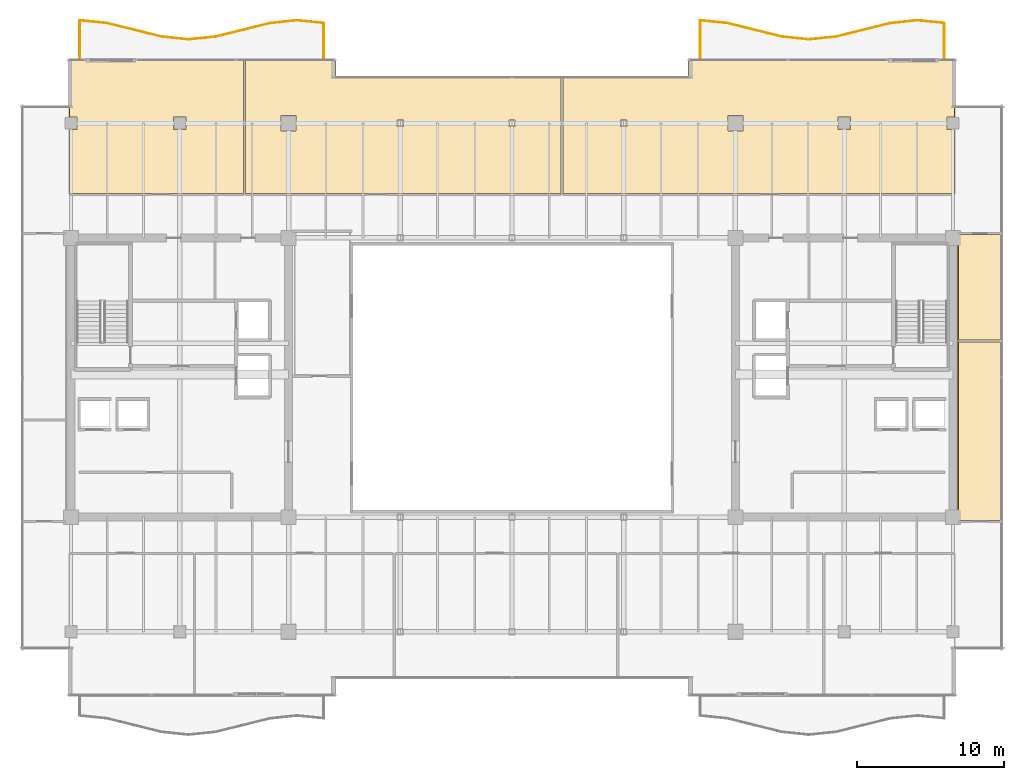
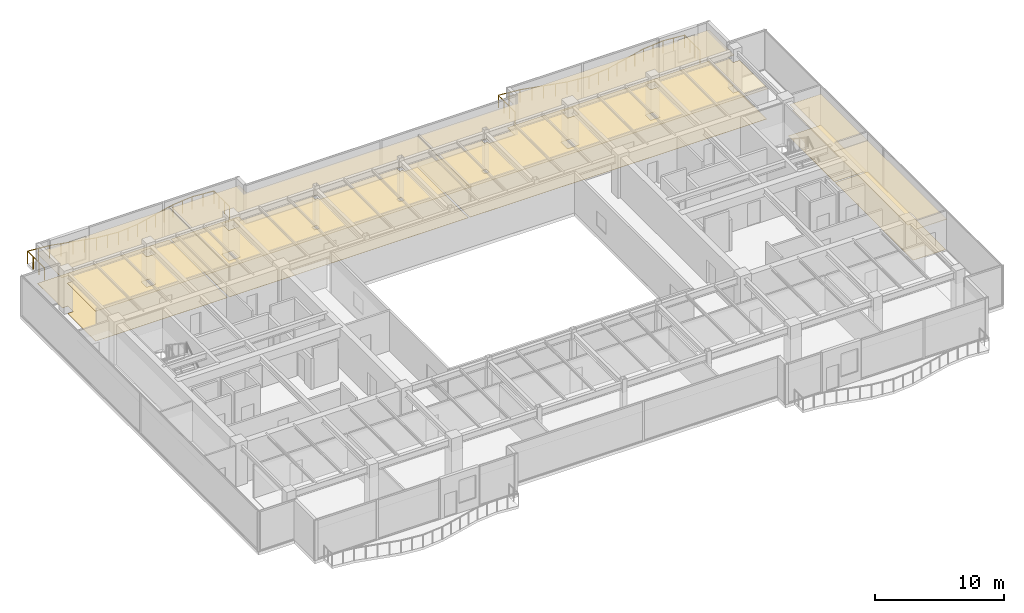
# One storey, part 35 of 35: 10 coverings, 2 railings.
"""IFC4 building model written with IfcOpenShell, lengths in metres."""

from ifc_helpers import new_model, si_unit, direction, frame, origin, origin_2d, place, context, subcontext, project, spatial, polyline, circle, outline, extrude, source, transform, mapped, material, layer, layer_set, type_object, type_shapes, element, save


model = new_model("IFC4")

# Units and contexts
model_context = context("Model", 3, precision=1e-05, world=origin(), true_north=direction((0.0, 1.0)))
body_context = subcontext(model_context, "Body", "Model", "MODEL_VIEW")
ifc_project = project(units=[si_unit("LENGTHUNIT", "METRE"), si_unit("AREAUNIT", "SQUARE_METRE"), si_unit("VOLUMEUNIT", "CUBIC_METRE"), si_unit("PLANEANGLEUNIT", "RADIAN"), si_unit("MASSUNIT", "GRAM", prefix="KILO")], contexts=[model_context])

# Site, building, storey
site_placement = place(None, origin())
site = spatial("IfcSite", under=ifc_project, at=site_placement, CompositionType="ELEMENT")
building_placement = place(site_placement, origin())
building = spatial("IfcBuilding", under=site, at=building_placement, Name="Haelvirn Gate Laboratories", CompositionType="ELEMENT")
storey_placement = place(building_placement, frame((0.0, 0.0, 283.39990234375)))
storey = spatial("IfcBuildingStorey", under=building, at=storey_placement, Name="L68", CompositionType="ELEMENT", Elevation=283.39990234375)

# Coverings
ifc_material_1 = material(Name="Micro-perforated acoustic mineral-fibre laboratory ceiling")
ifc_layer_1 = layer(ifc_material_1, 0.0400390625, Name="COV-CEIL-ACT")
ifc_layer_set_1 = layer_set([ifc_layer_1], Name="Micro-perforated acoustic mineral-fibre laboratory ceiling")
covering_type_1 = type_object("IfcCoveringType", Name="COV-CEIL-ACT", PredefinedType="CEILING", material=ifc_layer_set_1)
covering_1_placement = place(storey_placement, frame((0.0, 0.0, 2.880126953125)))
element("IfcCovering", 1, at=covering_1_placement, inside=storey, type_object=covering_type_1, Name="L68 Laboratory Acoustic Ceiling CEIL-SP-L68-N-01", PredefinedType="CEILING", context=body_context, shape_type="SweptSolid", body=[
    extrude(outline(polyline([(7.25, 41.179931640625), (7.820068359375, 41.179931640625), (7.820068359375, 42.02001953125), (7.25, 42.02001953125), (7.25, 45.949951171875), (19.179931640625, 45.949951171875), (19.179931640625, 36.77001953125), (7.25, 36.77001953125), (7.25, 41.179931640625)]), holes=[polyline([(14.3798828125, 42.02001953125), (14.3798828125, 41.179931640625), (15.219970703125, 41.179931640625), (15.219970703125, 42.02001953125), (14.3798828125, 42.02001953125)])]), origin(), (0.0, 0.0, 1.0), 0.0400390625),
])
covering_2_placement = place(storey_placement, frame((0.0, 0.0, 2.880126953125)))
element("IfcCovering", 2, at=covering_2_placement, inside=storey, type_object=covering_type_1, Name="L68 Laboratory Acoustic Ceiling CEIL-SP-L68-N-02", PredefinedType="CEILING", context=body_context, shape_type="SweptSolid", body=[
    extrude(outline(polyline([(19.219970703125, 36.77001953125), (19.219970703125, 45.949951171875), (25.419921875, 45.949951171875), (25.419921875, 44.820068359375), (40.780029296875, 44.820068359375), (40.780029296875, 36.77001953125), (19.219970703125, 36.77001953125)]), holes=[polyline([(21.679931640625, 41.080078125), (22.719970703125, 41.080078125), (22.719970703125, 42.1201171875), (21.679931640625, 42.1201171875), (21.679931640625, 41.080078125)]), polyline([(29.580078125, 41.820068359375), (29.580078125, 41.3798828125), (30.02001953125, 41.3798828125), (30.02001953125, 41.820068359375), (29.580078125, 41.820068359375)]), polyline([(37.6201171875, 41.820068359375), (37.179931640625, 41.820068359375), (37.179931640625, 41.3798828125), (37.6201171875, 41.3798828125), (37.6201171875, 41.820068359375)])]), origin(), (0.0, 0.0, 1.0), 0.0400390625),
])
covering_3_placement = place(storey_placement, frame((0.0, 0.0, 2.880126953125)))
element("IfcCovering", 3, at=covering_3_placement, inside=storey, type_object=covering_type_1, Name="L68 Laboratory Acoustic Ceiling CEIL-SP-L68-N-03", PredefinedType="CEILING", context=body_context, shape_type="SweptSolid", body=[
    extrude(outline(polyline([(66.97998046875, 42.02001953125), (66.97998046875, 41.179931640625), (67.550048828125, 41.179931640625), (67.550048828125, 36.77001953125), (40.820068359375, 36.77001953125), (40.820068359375, 44.820068359375), (49.3798828125, 44.820068359375), (49.3798828125, 45.949951171875), (67.550048828125, 45.949951171875), (67.550048828125, 42.02001953125), (66.97998046875, 42.02001953125)]), holes=[polyline([(53.1201171875, 41.080078125), (53.1201171875, 42.1201171875), (52.080078125, 42.1201171875), (52.080078125, 41.080078125), (53.1201171875, 41.080078125)]), polyline([(59.580078125, 41.179931640625), (60.419921875, 41.179931640625), (60.419921875, 42.02001953125), (59.580078125, 42.02001953125), (59.580078125, 41.179931640625)]), polyline([(45.219970703125, 41.820068359375), (44.780029296875, 41.820068359375), (44.780029296875, 41.3798828125), (45.219970703125, 41.3798828125), (45.219970703125, 41.820068359375)])]), origin(), (0.0, 0.0, 1.0), 0.0400390625),
])
covering_4_placement = place(storey_placement, frame((0.0, 0.0, 2.880126953125)))
element("IfcCovering", 4, at=covering_4_placement, inside=storey, type_object=covering_type_1, Name="L68 Laboratory Acoustic Ceiling CEIL-SP-L68-EZ3-S", PredefinedType="CEILING", context=body_context, shape_type="SweptSolid", body=[
    extrude(outline(polyline([(70.75, 26.7900390625), (70.75, 14.52490234375), (67.919921875, 14.52490234375), (67.919921875, 15.320068359375), (67.719970703125, 15.320068359375), (67.719970703125, 26.7900390625), (70.75, 26.7900390625)])), origin(), (0.0, 0.0, 1.0), 0.0400390625),
])
covering_5_placement = place(storey_placement, frame((0.0, 0.0, 2.880126953125)))
element("IfcCovering", 5, at=covering_5_placement, inside=storey, type_object=covering_type_1, Name="L68 Laboratory Acoustic Ceiling CEIL-SP-L68-EZ3-N", PredefinedType="CEILING", context=body_context, shape_type="SweptSolid", body=[
    extrude(outline(polyline([(70.75, 34.074951171875), (70.75, 26.81005859375), (67.719970703125, 26.81005859375), (67.719970703125, 33.280029296875), (67.919921875, 33.280029296875), (67.919921875, 34.074951171875), (70.75, 34.074951171875)])), origin(), (0.0, 0.0, 1.0), 0.0400390625),
])
ifc_material_2 = material(Name="Seamless chemical-resistant epoxy laboratory flooring")
ifc_layer_2 = layer(ifc_material_2, 0.01806640625, Name="COV-FLR-RESIN")
ifc_layer_set_2 = layer_set([ifc_layer_2], Name="Seamless chemical-resistant epoxy laboratory flooring")
covering_type_2 = type_object("IfcCoveringType", Name="COV-FLR-RESIN", PredefinedType="FLOORING", material=ifc_layer_set_2)
covering_6_placement = place(storey_placement, origin())
element("IfcCovering", 6, at=covering_6_placement, inside=storey, type_object=covering_type_2, Name="L68 Seamless Laboratory Flooring FLR-SP-L68-N-01", PredefinedType="FLOORING", context=body_context, shape_type="SweptSolid", body=[
    extrude(outline(polyline([(19.1201171875, 36.830078125), (7.31005859375, 36.830078125), (7.31005859375, 41.179931640625), (7.820068359375, 41.179931640625), (7.820068359375, 42.02001953125), (7.31005859375, 42.02001953125), (7.31005859375, 45.889892578125), (19.1201171875, 45.889892578125), (19.1201171875, 36.830078125)]), holes=[polyline([(14.3798828125, 41.179931640625), (15.219970703125, 41.179931640625), (15.219970703125, 42.02001953125), (14.3798828125, 42.02001953125), (14.3798828125, 41.179931640625)])]), origin(), (0.0, 0.0, 1.0), 0.01806640625),
])
covering_7_placement = place(storey_placement, origin())
element("IfcCovering", 7, at=covering_7_placement, inside=storey, type_object=covering_type_2, Name="L68 Seamless Laboratory Flooring FLR-SP-L68-N-02", PredefinedType="FLOORING", context=body_context, shape_type="SweptSolid", body=[
    extrude(outline(polyline([(25.360107421875, 44.800048828125), (25.360107421875, 44.796142578125), (25.36083984375, 44.792236328125), (25.36181640625, 44.788330078125), (25.363037109375, 44.78466796875), (25.36474609375, 44.781005859375), (25.36669921875, 44.77783203125), (25.369140625, 44.774658203125), (25.37158203125, 44.771728515625), (25.37451171875, 44.76904296875), (25.377685546875, 44.7666015625), (25.381103515625, 44.7646484375), (25.384765625, 44.762939453125), (25.388427734375, 44.76171875), (25.39208984375, 44.7607421875), (25.39599609375, 44.76025390625), (25.39990234375, 44.760009765625), (40.719970703125, 44.760009765625), (40.719970703125, 36.830078125), (19.280029296875, 36.830078125), (19.280029296875, 45.889892578125), (25.360107421875, 45.889892578125), (25.360107421875, 44.800048828125)]), holes=[polyline([(22.719970703125, 41.080078125), (22.719970703125, 42.1201171875), (21.679931640625, 42.1201171875), (21.679931640625, 41.080078125), (22.719970703125, 41.080078125)]), polyline([(29.580078125, 41.3798828125), (30.02001953125, 41.3798828125), (30.02001953125, 41.820068359375), (29.580078125, 41.820068359375), (29.580078125, 41.3798828125)]), polyline([(37.179931640625, 41.820068359375), (37.179931640625, 41.3798828125), (37.6201171875, 41.3798828125), (37.6201171875, 41.820068359375), (37.179931640625, 41.820068359375)])]), origin(), (0.0, 0.0, 1.0), 0.01806640625),
])
covering_8_placement = place(storey_placement, origin())
element("IfcCovering", 8, at=covering_8_placement, inside=storey, type_object=covering_type_2, Name="L68 Seamless Laboratory Flooring FLR-SP-L68-N-03", PredefinedType="FLOORING", context=body_context, shape_type="SweptSolid", body=[
    extrude(outline(polyline([(49.40380859375, 44.76025390625), (49.40771484375, 44.7607421875), (49.41162109375, 44.76171875), (49.415283203125, 44.762939453125), (49.4189453125, 44.7646484375), (49.422119140625, 44.7666015625), (49.42529296875, 44.76904296875), (49.42822265625, 44.771728515625), (49.430908203125, 44.774658203125), (49.433349609375, 44.77783203125), (49.435302734375, 44.781005859375), (49.43701171875, 44.78466796875), (49.438232421875, 44.788330078125), (49.439208984375, 44.792236328125), (49.439697265625, 44.796142578125), (49.43994140625, 44.800048828125), (49.43994140625, 45.889892578125), (67.489990234375, 45.889892578125), (67.489990234375, 42.02001953125), (66.97998046875, 42.02001953125), (66.97998046875, 41.179931640625), (67.489990234375, 41.179931640625), (67.489990234375, 36.830078125), (40.8798828125, 36.830078125), (40.8798828125, 44.760009765625), (49.39990234375, 44.760009765625), (49.40380859375, 44.76025390625)]), holes=[polyline([(53.1201171875, 42.1201171875), (52.080078125, 42.1201171875), (52.080078125, 41.080078125), (53.1201171875, 41.080078125), (53.1201171875, 42.1201171875)]), polyline([(60.419921875, 41.179931640625), (60.419921875, 42.02001953125), (59.580078125, 42.02001953125), (59.580078125, 41.179931640625), (60.419921875, 41.179931640625)]), polyline([(44.780029296875, 41.820068359375), (44.780029296875, 41.3798828125), (45.219970703125, 41.3798828125), (45.219970703125, 41.820068359375), (44.780029296875, 41.820068359375)])]), origin(), (0.0, 0.0, 1.0), 0.01806640625),
])
covering_9_placement = place(storey_placement, origin())
element("IfcCovering", 9, at=covering_9_placement, inside=storey, type_object=covering_type_2, Name="L68 Seamless Laboratory Flooring FLR-SP-L68-EZ3-S", PredefinedType="FLOORING", context=body_context, shape_type="SweptSolid", body=[
    extrude(outline(polyline([(67.780029296875, 26.72998046875), (70.68994140625, 26.72998046875), (70.68994140625, 14.5849609375), (67.780029296875, 14.5849609375), (67.780029296875, 26.72998046875)])), origin(), (0.0, 0.0, 1.0), 0.01806640625),
])
covering_10_placement = place(storey_placement, origin())
element("IfcCovering", 10, at=covering_10_placement, inside=storey, type_object=covering_type_2, Name="L68 Seamless Laboratory Flooring FLR-SP-L68-EZ3-N", PredefinedType="FLOORING", context=body_context, shape_type="SweptSolid", body=[
    extrude(outline(polyline([(67.780029296875, 34.014892578125), (70.68994140625, 34.014892578125), (70.68994140625, 26.8701171875), (67.780029296875, 26.8701171875), (67.780029296875, 34.014892578125)])), origin(), (0.0, 0.0, 1.0), 0.01806640625),
])

# Railings
ifc_material_3 = material(Name="Laminated safety glass & bronze stainless steel 316L", Category="steel")
railing_type = type_object("IfcRailingType", Name="RLG-BAL-1200", PredefinedType="BALUSTRADE", material=ifc_material_3)
shared_shape_1 = source(origin(), body_context, "Body", "SweptSolid", [
    extrude(circle(Radius=0.02392578125, at=origin_2d()), frame((0.0, 0.0, 1.17578125), z_axis=(0.0, 1.0, 0.0), x_axis=(-1.0, 0.0, 0.0)), (0.0, 0.0, 1.0), 2.60009765625),
    extrude(circle(Radius=0.02392578125, at=origin_2d()), frame((0.0, 2.60009765625, 1.17578125), z_axis=(0.994766350385, -0.102175868683, 0.0), x_axis=(0.102175868683, 0.994766350385, 0.0)), (0.0, 0.0, 1.0), 1.854248046875),
    extrude(circle(Radius=0.02392578125, at=origin_2d()), frame((1.844482421875, 2.41064453125, 1.17578125), z_axis=(0.970586725412, -0.240751756906, 0.0), x_axis=(0.240751756906, 0.970586725412, 0.0)), (0.0, 0.0, 1.0), 1.900390625),
    extrude(circle(Radius=0.02392578125, at=origin_2d()), frame((3.68896484375, 1.953125, 1.17578125), z_axis=(0.970338640352, -0.241749711562, 0.0), x_axis=(0.241749711562, 0.970338640352, 0.0)), (0.0, 0.0, 1.0), 1.900634765625),
    extrude(circle(Radius=0.02392578125, at=origin_2d()), frame((5.533203125, 1.49365234375, 1.17578125), z_axis=(0.994536425701, -0.104390123836, 0.0), x_axis=(0.104390123836, 0.994536425701, 0.0)), (0.0, 0.0, 1.0), 1.854736328125),
    extrude(circle(Radius=0.02392578125, at=origin_2d()), frame((7.377685546875, 1.300048828125, 1.17578125), z_axis=(0.995004537437, 0.099829707396, 0.0), x_axis=(-0.099829707396, 0.995004537437, 0.0)), (0.0, 0.0, 1.0), 1.853759765625),
    extrude(circle(Radius=0.02392578125, at=origin_2d()), frame((9.22216796875, 1.485107421875, 1.17578125), z_axis=(0.970796537576, 0.239904319742, 0.0), x_axis=(-0.239904319742, 0.970796537576, 0.0)), (0.0, 0.0, 1.0), 1.89990234375),
    extrude(circle(Radius=0.02392578125, at=origin_2d()), frame((11.066650390625, 1.94091796875, 1.17578125), z_axis=(0.970134946166, 0.242565838955, 0.0), x_axis=(-0.242565838955, 0.970134946166, 0.0)), (0.0, 0.0, 1.0), 1.9013671875),
    extrude(circle(Radius=0.02392578125, at=origin_2d()), frame((12.9111328125, 2.402099609375, 1.17578125), z_axis=(0.994301683155, 0.106602827711, 0.0), x_axis=(-0.106602827711, 0.994301683155, 0.0)), (0.0, 0.0, 1.0), 1.85498046875),
    extrude(circle(Radius=0.02392578125, at=origin_2d()), frame((14.755615234375, 2.599853515625, 1.17578125), z_axis=(0.995237299899, -0.097481879805, 0.0), x_axis=(0.097481879805, 0.995237299899, 0.0)), (0.0, 0.0, 1.0), 1.853271484375),
    extrude(circle(Radius=0.02392578125, at=origin_2d()), frame((16.60009765625, 2.419189453125, 1.17578125), z_axis=(0.0, -1.0, 0.0), x_axis=(1.0, 0.0, 0.0)), (0.0, 0.0, 1.0), 2.419189453125),
    extrude(circle(Radius=0.02099609375, at=origin_2d()), origin(), (0.0, 0.0, 1.0), 1.15185546875),
    extrude(circle(Radius=0.02099609375, at=origin_2d()), frame((0.0, 0.86669921875, 0.0)), (0.0, 0.0, 1.0), 1.15185546875),
    extrude(circle(Radius=0.02099609375, at=origin_2d()), frame((0.0, 1.7333984375, 0.0)), (0.0, 0.0, 1.0), 1.15185546875),
    extrude(circle(Radius=0.02099609375, at=origin_2d()), frame((0.0, 2.60009765625, 0.0)), (0.0, 0.0, 1.0), 1.15185546875),
    extrude(circle(Radius=0.02099609375, at=origin_2d()), frame((0.92236328125, 2.50537109375, 0.0)), (0.0, 0.0, 1.0), 1.15185546875),
    extrude(circle(Radius=0.02099609375, at=origin_2d()), frame((1.844482421875, 2.41064453125, 0.0)), (0.0, 0.0, 1.0), 1.15185546875),
    extrude(circle(Radius=0.02099609375, at=origin_2d()), frame((2.7666015625, 2.181884765625, 0.0)), (0.0, 0.0, 1.0), 1.15185546875),
    extrude(circle(Radius=0.02099609375, at=origin_2d()), frame((3.68896484375, 1.953125, 0.0)), (0.0, 0.0, 1.0), 1.15185546875),
    extrude(circle(Radius=0.02099609375, at=origin_2d()), frame((4.611083984375, 1.723388671875, 0.0)), (0.0, 0.0, 1.0), 1.15185546875),
    extrude(circle(Radius=0.02099609375, at=origin_2d()), frame((5.533203125, 1.49365234375, 0.0)), (0.0, 0.0, 1.0), 1.15185546875),
    extrude(circle(Radius=0.02099609375, at=origin_2d()), frame((6.45556640625, 1.39697265625, 0.0)), (0.0, 0.0, 1.0), 1.15185546875),
    extrude(circle(Radius=0.02099609375, at=origin_2d()), frame((7.377685546875, 1.300048828125, 0.0)), (0.0, 0.0, 1.0), 1.15185546875),
    extrude(circle(Radius=0.02099609375, at=origin_2d()), frame((8.2998046875, 1.392578125, 0.0)), (0.0, 0.0, 1.0), 1.15185546875),
    extrude(circle(Radius=0.02099609375, at=origin_2d()), frame((9.22216796875, 1.485107421875, 0.0)), (0.0, 0.0, 1.0), 1.15185546875),
    extrude(circle(Radius=0.02099609375, at=origin_2d()), frame((10.14453125, 1.712890625, 0.0)), (0.0, 0.0, 1.0), 1.15185546875),
    extrude(circle(Radius=0.02099609375, at=origin_2d()), frame((11.066650390625, 1.94091796875, 0.0)), (0.0, 0.0, 1.0), 1.15185546875),
    extrude(circle(Radius=0.02099609375, at=origin_2d()), frame((11.98876953125, 2.17138671875, 0.0)), (0.0, 0.0, 1.0), 1.15185546875),
    extrude(circle(Radius=0.02099609375, at=origin_2d()), frame((12.9111328125, 2.402099609375, 0.0)), (0.0, 0.0, 1.0), 1.15185546875),
    extrude(circle(Radius=0.02099609375, at=origin_2d()), frame((13.83349609375, 2.5009765625, 0.0)), (0.0, 0.0, 1.0), 1.15185546875),
    extrude(circle(Radius=0.02099609375, at=origin_2d()), frame((14.755615234375, 2.599853515625, 0.0)), (0.0, 0.0, 1.0), 1.15185546875),
    extrude(circle(Radius=0.02099609375, at=origin_2d()), frame((15.677734375, 2.509521484375, 0.0)), (0.0, 0.0, 1.0), 1.15185546875),
    extrude(circle(Radius=0.02099609375, at=origin_2d()), frame((16.60009765625, 2.419189453125, 0.0)), (0.0, 0.0, 1.0), 1.15185546875),
    extrude(circle(Radius=0.02099609375, at=origin_2d()), frame((16.60009765625, 1.61279296875, 0.0)), (0.0, 0.0, 1.0), 1.15185546875),
    extrude(circle(Radius=0.02099609375, at=origin_2d()), frame((16.60009765625, 0.806396484375, 0.0)), (0.0, 0.0, 1.0), 1.15185546875),
    extrude(circle(Radius=0.02099609375, at=origin_2d()), frame((16.60009765625, 0.0, 0.0)), (0.0, 0.0, 1.0), 1.15185546875),
])
railing_1_placement = place(storey_placement, frame((8.0, 46.0, 0.0)))
element("IfcRailing", 11, at=railing_1_placement, inside=storey, type_object=railing_type, Name="L68 Wave Balcony Balustrade WL-N", PredefinedType="BALUSTRADE", context=body_context, shape_type="MappedRepresentation", body=[
    mapped(shared_shape_1, transform((0.0, 0.0, 0.0), scale=1.0)),
])
shared_shape_2 = source(origin(), body_context, "Body", "SweptSolid", [
    extrude(circle(Radius=0.02392578125, at=origin_2d()), frame((0.0, 0.0, 1.17578125), z_axis=(0.0, 1.0, 0.0), x_axis=(-1.0, 0.0, 0.0)), (0.0, 0.0, 1.0), 2.60009765625),
    extrude(circle(Radius=0.02392578125, at=origin_2d()), frame((0.0, 2.60009765625, 1.17578125), z_axis=(0.994766350385, -0.102175868683, 0.0), x_axis=(0.102175868683, 0.994766350385, 0.0)), (0.0, 0.0, 1.0), 1.854248046875),
    extrude(circle(Radius=0.02392578125, at=origin_2d()), frame((1.844482421875, 2.41064453125, 1.17578125), z_axis=(0.970586725412, -0.240751756906, 0.0), x_axis=(0.240751756906, 0.970586725412, 0.0)), (0.0, 0.0, 1.0), 1.900390625),
    extrude(circle(Radius=0.02392578125, at=origin_2d()), frame((3.68896484375, 1.953125, 1.17578125), z_axis=(0.970346146153, -0.241719582668, 0.0), x_axis=(0.241719582668, 0.970346146153, 0.0)), (0.0, 0.0, 1.0), 1.90087890625),
    extrude(circle(Radius=0.02392578125, at=origin_2d()), frame((5.533447265625, 1.49365234375, 1.17578125), z_axis=(0.994536425701, -0.104390123836, 0.0), x_axis=(0.104390123836, 0.994536425701, 0.0)), (0.0, 0.0, 1.0), 1.854736328125),
    extrude(circle(Radius=0.02392578125, at=origin_2d()), frame((7.3779296875, 1.300048828125, 1.17578125), z_axis=(0.995003224647, 0.099842791141, 0.0), x_axis=(-0.099842791141, 0.995003224647, 0.0)), (0.0, 0.0, 1.0), 1.853515625),
    extrude(circle(Radius=0.02392578125, at=origin_2d()), frame((9.22216796875, 1.485107421875, 1.17578125), z_axis=(0.970796537576, 0.239904319742, 0.0), x_axis=(-0.239904319742, 0.970796537576, 0.0)), (0.0, 0.0, 1.0), 1.89990234375),
    extrude(circle(Radius=0.02392578125, at=origin_2d()), frame((11.066650390625, 1.94091796875, 1.17578125), z_axis=(0.970134946166, 0.242565838955, 0.0), x_axis=(-0.242565838955, 0.970134946166, 0.0)), (0.0, 0.0, 1.0), 1.9013671875),
    extrude(circle(Radius=0.02392578125, at=origin_2d()), frame((12.9111328125, 2.402099609375, 1.17578125), z_axis=(0.994301683155, 0.106602827711, 0.0), x_axis=(-0.106602827711, 0.994301683155, 0.0)), (0.0, 0.0, 1.0), 1.85498046875),
    extrude(circle(Radius=0.02392578125, at=origin_2d()), frame((14.755615234375, 2.599853515625, 1.17578125), z_axis=(0.995237299899, -0.097481879805, 0.0), x_axis=(0.097481879805, 0.995237299899, 0.0)), (0.0, 0.0, 1.0), 1.853271484375),
    extrude(circle(Radius=0.02392578125, at=origin_2d()), frame((16.60009765625, 2.419189453125, 1.17578125), z_axis=(0.0, -1.0, 0.0), x_axis=(1.0, 0.0, 0.0)), (0.0, 0.0, 1.0), 2.419189453125),
    extrude(circle(Radius=0.02099609375, at=origin_2d()), origin(), (0.0, 0.0, 1.0), 1.15185546875),
    extrude(circle(Radius=0.02099609375, at=origin_2d()), frame((0.0, 0.86669921875, 0.0)), (0.0, 0.0, 1.0), 1.15185546875),
    extrude(circle(Radius=0.02099609375, at=origin_2d()), frame((0.0, 1.7333984375, 0.0)), (0.0, 0.0, 1.0), 1.15185546875),
    extrude(circle(Radius=0.02099609375, at=origin_2d()), frame((0.0, 2.60009765625, 0.0)), (0.0, 0.0, 1.0), 1.15185546875),
    extrude(circle(Radius=0.02099609375, at=origin_2d()), frame((0.92236328125, 2.50537109375, 0.0)), (0.0, 0.0, 1.0), 1.15185546875),
    extrude(circle(Radius=0.02099609375, at=origin_2d()), frame((1.844482421875, 2.41064453125, 0.0)), (0.0, 0.0, 1.0), 1.15185546875),
    extrude(circle(Radius=0.02099609375, at=origin_2d()), frame((2.7666015625, 2.181884765625, 0.0)), (0.0, 0.0, 1.0), 1.15185546875),
    extrude(circle(Radius=0.02099609375, at=origin_2d()), frame((3.68896484375, 1.953125, 0.0)), (0.0, 0.0, 1.0), 1.15185546875),
    extrude(circle(Radius=0.02099609375, at=origin_2d()), frame((4.611328125, 1.723388671875, 0.0)), (0.0, 0.0, 1.0), 1.15185546875),
    extrude(circle(Radius=0.02099609375, at=origin_2d()), frame((5.533447265625, 1.49365234375, 0.0)), (0.0, 0.0, 1.0), 1.15185546875),
    extrude(circle(Radius=0.02099609375, at=origin_2d()), frame((6.45556640625, 1.39697265625, 0.0)), (0.0, 0.0, 1.0), 1.15185546875),
    extrude(circle(Radius=0.02099609375, at=origin_2d()), frame((7.3779296875, 1.300048828125, 0.0)), (0.0, 0.0, 1.0), 1.15185546875),
    extrude(circle(Radius=0.02099609375, at=origin_2d()), frame((8.300048828125, 1.392578125, 0.0)), (0.0, 0.0, 1.0), 1.15185546875),
    extrude(circle(Radius=0.02099609375, at=origin_2d()), frame((9.22216796875, 1.485107421875, 0.0)), (0.0, 0.0, 1.0), 1.15185546875),
    extrude(circle(Radius=0.02099609375, at=origin_2d()), frame((10.14453125, 1.712890625, 0.0)), (0.0, 0.0, 1.0), 1.15185546875),
    extrude(circle(Radius=0.02099609375, at=origin_2d()), frame((11.066650390625, 1.94091796875, 0.0)), (0.0, 0.0, 1.0), 1.15185546875),
    extrude(circle(Radius=0.02099609375, at=origin_2d()), frame((11.98876953125, 2.17138671875, 0.0)), (0.0, 0.0, 1.0), 1.15185546875),
    extrude(circle(Radius=0.02099609375, at=origin_2d()), frame((12.9111328125, 2.402099609375, 0.0)), (0.0, 0.0, 1.0), 1.15185546875),
    extrude(circle(Radius=0.02099609375, at=origin_2d()), frame((13.83349609375, 2.5009765625, 0.0)), (0.0, 0.0, 1.0), 1.15185546875),
    extrude(circle(Radius=0.02099609375, at=origin_2d()), frame((14.755615234375, 2.599853515625, 0.0)), (0.0, 0.0, 1.0), 1.15185546875),
    extrude(circle(Radius=0.02099609375, at=origin_2d()), frame((15.677734375, 2.509521484375, 0.0)), (0.0, 0.0, 1.0), 1.15185546875),
    extrude(circle(Radius=0.02099609375, at=origin_2d()), frame((16.60009765625, 2.419189453125, 0.0)), (0.0, 0.0, 1.0), 1.15185546875),
    extrude(circle(Radius=0.02099609375, at=origin_2d()), frame((16.60009765625, 1.61279296875, 0.0)), (0.0, 0.0, 1.0), 1.15185546875),
    extrude(circle(Radius=0.02099609375, at=origin_2d()), frame((16.60009765625, 0.806396484375, 0.0)), (0.0, 0.0, 1.0), 1.15185546875),
    extrude(circle(Radius=0.02099609375, at=origin_2d()), frame((16.60009765625, 0.0, 0.0)), (0.0, 0.0, 1.0), 1.15185546875),
])
type_shapes(railing_type, [shared_shape_1, shared_shape_2])
railing_2_placement = place(storey_placement, frame((50.199951171875, 46.0, 0.0)))
element("IfcRailing", 12, at=railing_2_placement, inside=storey, type_object=railing_type, Name="L68 Wave Balcony Balustrade EL-N", PredefinedType="BALUSTRADE", context=body_context, shape_type="MappedRepresentation", body=[
    mapped(shared_shape_2, transform((0.0, 0.0, 0.0), scale=1.0)),
])

save(model, "model.ifc")
